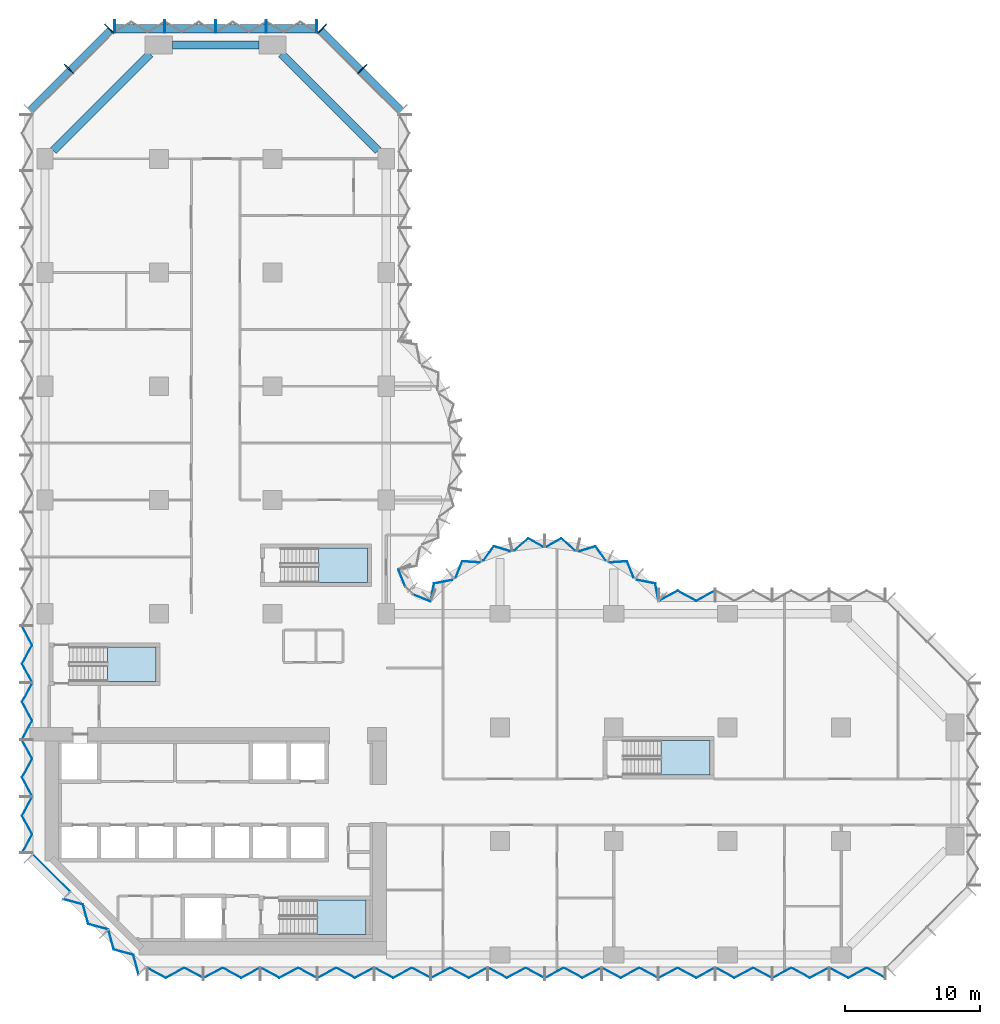
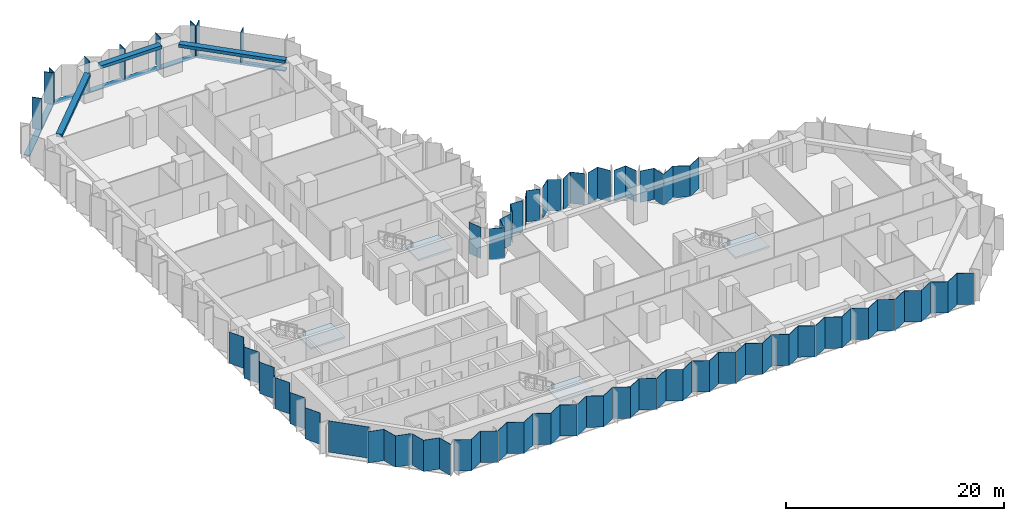
# One storey, part 5 of 15: 31 plates, 12 members, 4 slabs, 3 beams, 13 elements without a shape of their own.
"""IFC4 building model written with IfcOpenShell, lengths in metres."""

from ifc_helpers import new_model, si_unit, direction, frame, origin, origin_2d, place, context, subcontext, project, spatial, polyline, rectangle, outline, extrude, material, layer, layer_set, material_profile, profile_set, type_object, element, aggregate, save


model = new_model("IFC4")

# Units and contexts
model_context = context("Model", 3, precision=1e-05, world=origin(), true_north=direction((0.0, 1.0)))
body_context = subcontext(model_context, "Body", "Model", "MODEL_VIEW")
ifc_project = project(units=[si_unit("LENGTHUNIT", "METRE"), si_unit("AREAUNIT", "SQUARE_METRE"), si_unit("VOLUMEUNIT", "CUBIC_METRE"), si_unit("PLANEANGLEUNIT", "RADIAN"), si_unit("MASSUNIT", "GRAM", prefix="KILO")], contexts=[model_context])

# Site, building, storey
site_placement = place(None, origin())
site = spatial("IfcSite", under=ifc_project, at=site_placement, CompositionType="ELEMENT")
building_placement = place(site_placement, origin())
building = spatial("IfcBuilding", under=site, at=building_placement, Name="Brevane Broadcast Tower", CompositionType="ELEMENT")
storey_placement = place(building_placement, frame((0.0, 0.0, 54.5)))
storey = spatial("IfcBuildingStorey", under=building, at=storey_placement, Name="L11", CompositionType="ELEMENT", Elevation=54.5)

# Curtain wall, members
ifc_material_1 = material(Name="Aluminium 6063-T6 bronze anodised", Category="aluminium")
curtain_wall_type = type_object("IfcCurtainWallType", Name="CW-1 curtain wall", PredefinedType="NOTDEFINED", material=ifc_material_1)
curtain_wall_1_placement = place(storey_placement, origin())
curtain_wall_1 = element("IfcCurtainWall", 1, at=curtain_wall_1_placement, inside=storey, type_object=curtain_wall_type, Name="CW-1 typical tilted unit L11 north arm north-east chamfer", PredefinedType="NOTDEFINED")
ifc_material_profile_1 = material_profile(ifc_material_1, rectangle(XDim=0.949951171875, YDim=0.070068359375, at=origin_2d()), Name="RECT 70x950")
ifc_profile_set_1 = profile_set([ifc_material_profile_1], Name="Aluminium 6063-T6 bronze anodised")
member_type_1 = type_object("IfcMemberType", Name="CW-1 mullion 70x950", PredefinedType="MULLION", material=ifc_profile_set_1)
member_1_placement = place(storey_placement, frame((23.435791015625, 65.435791015625, -0.14990234375), z_axis=(0.0, 0.0, 1.0), x_axis=(-0.707106781187, -0.707106781187, 0.0)))
member_1 = element("IfcMember", 2, at=member_1_placement, type_object=member_type_1, Name="CW-1 mullion", PredefinedType="MULLION", context=body_context, shape_type="SweptSolid", body=[
    extrude(rectangle(XDim=0.949951171875, YDim=0.070068359375, at=origin_2d()), origin(), (0.0, 0.0, 1.0), 3.5),
])
member_2_placement = place(storey_placement, frame((20.460693359375, 68.4111328125, -0.14990234375), z_axis=(0.0, 0.0, 1.0), x_axis=(-0.707106781187, -0.707106781187, 0.0)))
member_2 = element("IfcMember", 3, at=member_2_placement, type_object=member_type_1, Name="CW-1 mullion", PredefinedType="MULLION", context=body_context, shape_type="SweptSolid", body=[
    extrude(rectangle(XDim=0.949951171875, YDim=0.070068359375, at=origin_2d()), origin(), (0.0, 0.0, 1.0), 3.5),
])

curtain_wall_2_placement = place(storey_placement, origin())
curtain_wall_2 = element("IfcCurtainWall", 4, at=curtain_wall_2_placement, inside=storey, type_object=curtain_wall_type, Name="CW-1 typical tilted unit L11 north end", PredefinedType="NOTDEFINED")
member_3_placement = place(storey_placement, frame((20.06494140625, 68.574951171875, -0.14990234375), z_axis=(0.0, 0.0, 1.0), x_axis=(0.0, -1.0, 0.0)))
member_3 = element("IfcMember", 5, at=member_3_placement, type_object=member_type_1, Name="CW-1 mullion", PredefinedType="MULLION", context=body_context, shape_type="SweptSolid", body=[
    extrude(rectangle(XDim=0.949951171875, YDim=0.070068359375, at=origin_2d()), origin(), (0.0, 0.0, 1.0), 3.5),
])
member_4_placement = place(storey_placement, frame((16.35009765625, 68.574951171875, -0.14990234375), z_axis=(0.0, 0.0, 1.0), x_axis=(0.0, -1.0, 0.0)))
member_4 = element("IfcMember", 6, at=member_4_placement, type_object=member_type_1, Name="CW-1 mullion", PredefinedType="MULLION", context=body_context, shape_type="SweptSolid", body=[
    extrude(rectangle(XDim=0.949951171875, YDim=0.070068359375, at=origin_2d()), origin(), (0.0, 0.0, 1.0), 3.5),
])
member_5_placement = place(storey_placement, frame((12.60009765625, 68.574951171875, -0.14990234375), z_axis=(0.0, 0.0, 1.0), x_axis=(0.0, -1.0, 0.0)))
member_5 = element("IfcMember", 7, at=member_5_placement, type_object=member_type_1, Name="CW-1 mullion", PredefinedType="MULLION", context=body_context, shape_type="SweptSolid", body=[
    extrude(rectangle(XDim=0.949951171875, YDim=0.070068359375, at=origin_2d()), origin(), (0.0, 0.0, 1.0), 3.5),
])
member_6_placement = place(storey_placement, frame((8.85009765625, 68.574951171875, -0.14990234375), z_axis=(0.0, 0.0, 1.0), x_axis=(0.0, -1.0, 0.0)))
member_6 = element("IfcMember", 8, at=member_6_placement, type_object=member_type_1, Name="CW-1 mullion", PredefinedType="MULLION", context=body_context, shape_type="SweptSolid", body=[
    extrude(rectangle(XDim=0.949951171875, YDim=0.070068359375, at=origin_2d()), origin(), (0.0, 0.0, 1.0), 3.5),
])
member_7_placement = place(storey_placement, frame((5.135009765625, 68.574951171875, -0.14990234375), z_axis=(0.0, 0.0, 1.0), x_axis=(0.0, -1.0, 0.0)))
member_7 = element("IfcMember", 9, at=member_7_placement, type_object=member_type_1, Name="CW-1 mullion", PredefinedType="MULLION", context=body_context, shape_type="SweptSolid", body=[
    extrude(rectangle(XDim=0.949951171875, YDim=0.070068359375, at=origin_2d()), origin(), (0.0, 0.0, 1.0), 3.5),
])

curtain_wall_3_placement = place(storey_placement, origin())
curtain_wall_3 = element("IfcCurtainWall", 10, at=curtain_wall_3_placement, inside=storey, type_object=curtain_wall_type, Name="CW-1 typical tilted unit L11 north-west chamfer", PredefinedType="NOTDEFINED")
member_8_placement = place(storey_placement, frame((4.7392578125, 68.4111328125, -0.14990234375), z_axis=(0.0, 0.0, 1.0), x_axis=(0.707106781187, -0.707106781187, 0.0)))
member_8 = element("IfcMember", 11, at=member_8_placement, type_object=member_type_1, Name="CW-1 mullion", PredefinedType="MULLION", context=body_context, shape_type="SweptSolid", body=[
    extrude(rectangle(XDim=0.949951171875, YDim=0.070068359375, at=origin_2d()), origin(), (0.0, 0.0, 1.0), 3.5),
])
member_9_placement = place(storey_placement, frame((1.76416015625, 65.435791015625, -0.14990234375), z_axis=(0.0, 0.0, 1.0), x_axis=(0.707106781187, -0.707106781187, 0.0)))
member_9 = element("IfcMember", 12, at=member_9_placement, type_object=member_type_1, Name="CW-1 mullion", PredefinedType="MULLION", context=body_context, shape_type="SweptSolid", body=[
    extrude(rectangle(XDim=0.949951171875, YDim=0.070068359375, at=origin_2d()), origin(), (0.0, 0.0, 1.0), 3.5),
])

# Member
ifc_material_profile_2 = material_profile(ifc_material_1, rectangle(XDim=0.60009765625, YDim=0.10009765625, at=origin_2d()), Name="RECT 100x600")
ifc_profile_set_2 = profile_set([ifc_material_profile_2], Name="Aluminium 6063-T6 bronze anodised")
member_type_2 = type_object("IfcMemberType", Name="CW-1 transom 100x600", PredefinedType="USERDEFINED", material=ifc_profile_set_2)
member_10_placement = place(storey_placement, frame((26.31201171875, 62.31201171875, -0.199951171875), z_axis=(-0.707106781187, 0.707106781187, 0.0), x_axis=(-0.707106781187, -0.707106781187, 0.0)))
member_10 = element("IfcMember", 13, at=member_10_placement, type_object=member_type_2, Name="CW-1 transom", ObjectType="TRANSOM", PredefinedType="USERDEFINED", context=body_context, shape_type="SweptSolid", body=[
    extrude(rectangle(XDim=0.60009765625, YDim=0.10009765625, at=origin_2d()), origin(), (0.0, 0.0, 1.0), 8.4853515625),
])

aggregate(curtain_wall_1, [member_1, member_2, member_10])

member_11_placement = place(storey_placement, frame((20.10009765625, 68.39990234375, -0.199951171875), z_axis=(-1.0, 0.0, 0.0), x_axis=(0.0, -1.0, 0.0)))
member_11 = element("IfcMember", 14, at=member_11_placement, type_object=member_type_2, Name="CW-1 transom", ObjectType="TRANSOM", PredefinedType="USERDEFINED", context=body_context, shape_type="SweptSolid", body=[
    extrude(rectangle(XDim=0.60009765625, YDim=0.10009765625, at=origin_2d()), origin(), (0.0, 0.0, 1.0), 15.0),
])

aggregate(curtain_wall_2, [member_3, member_4, member_5, member_6, member_7, member_11])

member_12_placement = place(storey_placement, frame((4.887939453125, 68.31201171875, -0.199951171875), z_axis=(-0.707106781187, -0.707106781187, 0.0), x_axis=(0.707106781187, -0.707106781187, 0.0)))
member_12 = element("IfcMember", 15, at=member_12_placement, type_object=member_type_2, Name="CW-1 transom", ObjectType="TRANSOM", PredefinedType="USERDEFINED", context=body_context, shape_type="SweptSolid", body=[
    extrude(rectangle(XDim=0.60009765625, YDim=0.10009765625, at=origin_2d()), origin(), (0.0, 0.0, 1.0), 8.4853515625),
])

aggregate(curtain_wall_3, [member_8, member_9, member_12])

# Beams
ifc_material_2 = material(Name="Concrete C40/50", Category="concrete")
ifc_material_profile_3 = material_profile(ifc_material_2, rectangle(XDim=0.60009765625, YDim=0.35009765625, at=origin_2d()), Name="RC 600x350")
ifc_profile_set_3 = profile_set([ifc_material_profile_3], Name="Concrete C40/50")
beam_type = type_object("IfcBeamType", Name="RC SPANDREL BEAM 600x350 C40/50", PredefinedType="SPANDREL", material=ifc_profile_set_3)
beam_1_placement = place(storey_placement, frame((24.60009765625, 59.39990234375, 3.175048828125), z_axis=(-0.707106781187, 0.707106781187, 0.0), x_axis=(-0.707106781187, -0.707106781187, 0.0)))
element("IfcBeam", 16, at=beam_1_placement, inside=storey, type_object=beam_type, Name="EB1 L11-16", PredefinedType="SPANDREL", context=body_context, shape_type="SweptSolid", body=[
    extrude(rectangle(XDim=0.60009765625, YDim=0.35009765625, at=origin_2d()), origin(), (0.0, 0.0, 1.0), 10.11181640625),
])
beam_2_placement = place(storey_placement, frame((15.800048828125, 67.199951171875, 3.175048828125), z_axis=(-1.0, 0.0, 0.0), x_axis=(0.0, -1.0, 0.0)))
element("IfcBeam", 17, at=beam_2_placement, inside=storey, type_object=beam_type, Name="EB1 L11-17", PredefinedType="SPANDREL", context=body_context, shape_type="SweptSolid", body=[
    extrude(rectangle(XDim=0.60009765625, YDim=0.35009765625, at=origin_2d()), origin(), (0.0, 0.0, 1.0), 6.400146484375),
])
beam_3_placement = place(storey_placement, frame((7.75, 66.550048828125, 3.175048828125), z_axis=(-0.707094708853, -0.707118853314, 0.0), x_axis=(0.707118853314, -0.707094708853, 0.0)))
element("IfcBeam", 18, at=beam_3_placement, inside=storey, type_object=beam_type, Name="EB1 L11-18", PredefinedType="SPANDREL", context=body_context, shape_type="SweptSolid", body=[
    extrude(rectangle(XDim=0.60009765625, YDim=0.35009765625, at=origin_2d()), origin(), (0.0, 0.0, 1.0), 10.111572265625),
])

# Curtain wall, plates
curtain_wall_4_placement = place(storey_placement, origin())
curtain_wall_4 = element("IfcCurtainWall", 19, at=curtain_wall_4_placement, inside=storey, type_object=curtain_wall_type, Name="CW-1 typical tilted unit L11 south face", PredefinedType="NOTDEFINED")
ifc_material_3 = material(Name="Laminated glass bronze-tinted", Category="glass")
ifc_layer_1 = layer(ifc_material_3, 0.0400390625)
ifc_layer_set_1 = layer_set([ifc_layer_1], Name="CW tall glass panel 40")
plate_type = type_object("IfcPlateType", Name="CW tall glass panel 40", PredefinedType="CURTAIN_PANEL", material=ifc_layer_set_1)
plate_1_placement = place(storey_placement, frame((0.0, 0.0, -0.14990234375)))
plate_1 = element("IfcPlate", 20, at=plate_1_placement, type_object=plate_type, Name="CW-1 glass panel", PredefinedType="CURTAIN_PANEL", context=body_context, shape_type="SweptSolid", body=[
    extrude(outline(polyline([(7.534912109375, -0.92724609375), (7.534912109375, -0.97265625), (8.91162109375, -1.717041015625), (10.288330078125, -0.97265625), (11.6650390625, -1.717041015625), (11.6650390625, -1.671630859375), (10.288330078125, -0.92724609375), (8.91162109375, -1.671630859375), (7.534912109375, -0.92724609375)])), origin(), (0.0, 0.0, 1.0), 3.5),
])
plate_2_placement = place(storey_placement, frame((0.0, 0.0, -0.14990234375)))
plate_2 = element("IfcPlate", 21, at=plate_2_placement, type_object=plate_type, Name="CW-1 glass panel", PredefinedType="CURTAIN_PANEL", context=body_context, shape_type="SweptSolid", body=[
    extrude(outline(polyline([(11.735107421875, -1.671630859375), (11.735107421875, -1.717041015625), (13.11181640625, -0.97265625), (14.48828125, -1.717041015625), (15.864990234375, -0.97265625), (15.864990234375, -0.92724609375), (14.48828125, -1.671630859375), (13.11181640625, -0.92724609375), (11.735107421875, -1.671630859375)])), origin(), (0.0, 0.0, 1.0), 3.5),
])
plate_3_placement = place(storey_placement, frame((0.0, 0.0, -0.14990234375)))
plate_3 = element("IfcPlate", 22, at=plate_3_placement, type_object=plate_type, Name="CW-1 glass panel", PredefinedType="CURTAIN_PANEL", context=body_context, shape_type="SweptSolid", body=[
    extrude(outline(polyline([(15.93505859375, -0.92724609375), (15.93505859375, -0.97265625), (17.311767578125, -1.717041015625), (18.688232421875, -0.97265625), (20.06494140625, -1.717041015625), (20.06494140625, -1.671630859375), (18.688232421875, -0.92724609375), (17.311767578125, -1.671630859375), (15.93505859375, -0.92724609375)])), origin(), (0.0, 0.0, 1.0), 3.5),
])
plate_4_placement = place(storey_placement, frame((0.0, 0.0, -0.14990234375)))
plate_4 = element("IfcPlate", 23, at=plate_4_placement, type_object=plate_type, Name="CW-1 glass panel", PredefinedType="CURTAIN_PANEL", context=body_context, shape_type="SweptSolid", body=[
    extrude(outline(polyline([(20.135009765625, -1.671630859375), (20.135009765625, -1.717041015625), (21.51171875, -0.97265625), (22.88818359375, -1.717041015625), (24.264892578125, -0.97265625), (24.264892578125, -0.92724609375), (22.88818359375, -1.671630859375), (21.51171875, -0.92724609375), (20.135009765625, -1.671630859375)])), origin(), (0.0, 0.0, 1.0), 3.5),
])
plate_5_placement = place(storey_placement, frame((0.0, 0.0, -0.14990234375)))
plate_5 = element("IfcPlate", 24, at=plate_5_placement, type_object=plate_type, Name="CW-1 glass panel", PredefinedType="CURTAIN_PANEL", context=body_context, shape_type="SweptSolid", body=[
    extrude(outline(polyline([(24.3349609375, -0.92724609375), (24.3349609375, -0.97265625), (25.711669921875, -1.717041015625), (27.08837890625, -0.97265625), (28.465087890625, -1.717041015625), (28.465087890625, -1.671630859375), (27.08837890625, -0.92724609375), (25.711669921875, -1.671630859375), (24.3349609375, -0.92724609375)])), origin(), (0.0, 0.0, 1.0), 3.5),
])
plate_6_placement = place(storey_placement, frame((0.0, 0.0, -0.14990234375)))
plate_6 = element("IfcPlate", 25, at=plate_6_placement, type_object=plate_type, Name="CW-1 glass panel", PredefinedType="CURTAIN_PANEL", context=body_context, shape_type="SweptSolid", body=[
    extrude(outline(polyline([(28.534912109375, -1.671630859375), (28.534912109375, -1.717041015625), (29.91162109375, -0.97265625), (31.288330078125, -1.717041015625), (32.6650390625, -0.97265625), (32.6650390625, -0.92724609375), (31.288330078125, -1.671630859375), (29.91162109375, -0.92724609375), (28.534912109375, -1.671630859375)])), origin(), (0.0, 0.0, 1.0), 3.5),
])
plate_7_placement = place(storey_placement, frame((0.0, 0.0, -0.14990234375)))
plate_7 = element("IfcPlate", 26, at=plate_7_placement, type_object=plate_type, Name="CW-1 glass panel", PredefinedType="CURTAIN_PANEL", context=body_context, shape_type="SweptSolid", body=[
    extrude(outline(polyline([(32.735107421875, -0.92724609375), (32.735107421875, -0.97265625), (34.11181640625, -1.717041015625), (35.48828125, -0.97265625), (36.864990234375, -1.717041015625), (36.864990234375, -1.671630859375), (35.48828125, -0.92724609375), (34.11181640625, -1.671630859375), (32.735107421875, -0.92724609375)])), origin(), (0.0, 0.0, 1.0), 3.5),
])
plate_8_placement = place(storey_placement, frame((0.0, 0.0, -0.14990234375)))
plate_8 = element("IfcPlate", 27, at=plate_8_placement, type_object=plate_type, Name="CW-1 glass panel", PredefinedType="CURTAIN_PANEL", context=body_context, shape_type="SweptSolid", body=[
    extrude(outline(polyline([(36.93505859375, -1.671630859375), (36.93505859375, -1.717041015625), (38.311767578125, -0.97265625), (39.688232421875, -1.717041015625), (41.06494140625, -0.97265625), (41.06494140625, -0.92724609375), (39.688232421875, -1.671630859375), (38.311767578125, -0.92724609375), (36.93505859375, -1.671630859375)])), origin(), (0.0, 0.0, 1.0), 3.5),
])
plate_9_placement = place(storey_placement, frame((0.0, 0.0, -0.14990234375)))
plate_9 = element("IfcPlate", 28, at=plate_9_placement, type_object=plate_type, Name="CW-1 glass panel", PredefinedType="CURTAIN_PANEL", context=body_context, shape_type="SweptSolid", body=[
    extrude(outline(polyline([(41.135009765625, -0.92724609375), (41.135009765625, -0.97265625), (42.51171875, -1.717041015625), (43.88818359375, -0.97265625), (45.264892578125, -1.717041015625), (45.264892578125, -1.671630859375), (43.88818359375, -0.92724609375), (42.51171875, -1.671630859375), (41.135009765625, -0.92724609375)])), origin(), (0.0, 0.0, 1.0), 3.5),
])
plate_10_placement = place(storey_placement, frame((0.0, 0.0, -0.14990234375)))
plate_10 = element("IfcPlate", 29, at=plate_10_placement, type_object=plate_type, Name="CW-1 glass panel", PredefinedType="CURTAIN_PANEL", context=body_context, shape_type="SweptSolid", body=[
    extrude(outline(polyline([(45.3349609375, -1.671630859375), (45.3349609375, -1.717041015625), (46.711669921875, -0.97265625), (48.08837890625, -1.717041015625), (49.465087890625, -0.97265625), (49.465087890625, -0.92724609375), (48.08837890625, -1.671630859375), (46.711669921875, -0.92724609375), (45.3349609375, -1.671630859375)])), origin(), (0.0, 0.0, 1.0), 3.5),
])
plate_11_placement = place(storey_placement, frame((0.0, 0.0, -0.14990234375)))
plate_11 = element("IfcPlate", 30, at=plate_11_placement, type_object=plate_type, Name="CW-1 glass panel", PredefinedType="CURTAIN_PANEL", context=body_context, shape_type="SweptSolid", body=[
    extrude(outline(polyline([(49.534912109375, -0.92724609375), (49.534912109375, -0.97265625), (50.91162109375, -1.717041015625), (52.288330078125, -0.97265625), (53.6650390625, -1.717041015625), (53.6650390625, -1.671630859375), (52.288330078125, -0.92724609375), (50.91162109375, -1.671630859375), (49.534912109375, -0.92724609375)])), origin(), (0.0, 0.0, 1.0), 3.5),
])
plate_12_placement = place(storey_placement, frame((0.0, 0.0, -0.14990234375)))
plate_12 = element("IfcPlate", 31, at=plate_12_placement, type_object=plate_type, Name="CW-1 glass panel", PredefinedType="CURTAIN_PANEL", context=body_context, shape_type="SweptSolid", body=[
    extrude(outline(polyline([(53.735107421875, -1.671630859375), (53.735107421875, -1.717041015625), (55.11181640625, -0.97265625), (56.48828125, -1.717041015625), (57.864990234375, -0.97265625), (57.864990234375, -0.92724609375), (56.48828125, -1.671630859375), (55.11181640625, -0.92724609375), (53.735107421875, -1.671630859375)])), origin(), (0.0, 0.0, 1.0), 3.5),
])
plate_13_placement = place(storey_placement, frame((0.0, 0.0, -0.14990234375)))
plate_13 = element("IfcPlate", 32, at=plate_13_placement, type_object=plate_type, Name="CW-1 glass panel", PredefinedType="CURTAIN_PANEL", context=body_context, shape_type="SweptSolid", body=[
    extrude(outline(polyline([(57.93505859375, -0.92724609375), (57.93505859375, -0.97265625), (59.311767578125, -1.717041015625), (60.688232421875, -0.97265625), (62.06494140625, -1.717041015625), (62.06494140625, -1.671630859375), (60.688232421875, -0.92724609375), (59.311767578125, -1.671630859375), (57.93505859375, -0.92724609375)])), origin(), (0.0, 0.0, 1.0), 3.5),
])
aggregate(curtain_wall_4, [plate_1, plate_2, plate_3, plate_4, plate_5, plate_6, plate_7, plate_8, plate_9, plate_10, plate_11, plate_12, plate_13])

# Curtain wall, plate
curtain_wall_5_placement = place(storey_placement, origin())
curtain_wall_5 = element("IfcCurtainWall", 33, at=curtain_wall_5_placement, inside=storey, type_object=curtain_wall_type, Name="CW-1 typical tilted unit L11 east arm north face", PredefinedType="NOTDEFINED")
plate_14_placement = place(storey_placement, frame((0.0, 0.0, -0.14990234375)))
plate_14 = element("IfcPlate", 34, at=plate_14_placement, type_object=plate_type, Name="CW-1 glass panel", PredefinedType="CURTAIN_PANEL", context=body_context, shape_type="SweptSolid", body=[
    extrude(outline(polyline([(49.465087890625, 26.87158203125), (49.465087890625, 26.9169921875), (48.08837890625, 26.172607421875), (46.711669921875, 26.9169921875), (45.3349609375, 26.172607421875), (45.3349609375, 26.127197265625), (46.711669921875, 26.87158203125), (48.08837890625, 26.127197265625), (49.465087890625, 26.87158203125)])), origin(), (0.0, 0.0, 1.0), 3.5),
])
aggregate(curtain_wall_5, [plate_14])

# Curtain wall, plates
curtain_wall_6_placement = place(storey_placement, origin())
curtain_wall_6 = element("IfcCurtainWall", 35, at=curtain_wall_6_placement, inside=storey, type_object=curtain_wall_type, Name="CW-1 typical tilted unit L11 east bow", PredefinedType="NOTDEFINED")
plate_15_placement = place(storey_placement, frame((0.0, 0.0, -0.14990234375)))
plate_15 = element("IfcPlate", 36, at=plate_15_placement, type_object=plate_type, Name="CW-1 glass panel", PredefinedType="CURTAIN_PANEL", context=body_context, shape_type="SweptSolid", body=[
    extrude(outline(polyline([(45.2939453125, 26.14404296875), (45.327880859375, 26.17919921875), (45.086181640625, 27.447265625), (43.738525390625, 27.71142578125), (43.7109375, 27.67626953125), (45.052001953125, 27.4130859375), (45.2939453125, 26.14404296875)])), origin(), (0.0, 0.0, 1.0), 3.5),
])
plate_16_placement = place(storey_placement, frame((0.0, 0.0, -0.14990234375)))
plate_16 = element("IfcPlate", 37, at=plate_16_placement, type_object=plate_type, Name="CW-1 glass panel", PredefinedType="CURTAIN_PANEL", context=body_context, shape_type="SweptSolid", body=[
    extrude(outline(polyline([(43.45703125, 27.8759765625), (43.4853515625, 27.912109375), (43.00390625, 29.089111328125), (41.710693359375, 29.006591796875), (41.69091796875, 28.96533203125), (42.977783203125, 29.04736328125), (43.45703125, 27.8759765625)])), origin(), (0.0, 0.0, 1.0), 3.5),
])
plate_17_placement = place(storey_placement, frame((0.0, 0.0, -0.14990234375)))
plate_17 = element("IfcPlate", 38, at=plate_17_placement, type_object=plate_type, Name="CW-1 glass panel", PredefinedType="CURTAIN_PANEL", context=body_context, shape_type="SweptSolid", body=[
    extrude(outline(polyline([(41.3994140625, 29.104248046875), (41.4189453125, 29.1455078125), (40.667724609375, 30.20166015625), (39.45068359375, 29.83349609375), (39.440185546875, 29.78857421875), (40.65185546875, 30.155029296875), (41.3994140625, 29.104248046875)])), origin(), (0.0, 0.0, 1.0), 3.5),
])
plate_18_placement = place(storey_placement, frame((0.0, 0.0, -0.14990234375)))
plate_18 = element("IfcPlate", 39, at=plate_18_placement, type_object=plate_type, Name="CW-1 glass panel", PredefinedType="CURTAIN_PANEL", context=body_context, shape_type="SweptSolid", body=[
    extrude(outline(polyline([(39.125, 29.859619140625), (39.13525390625, 29.903564453125), (38.116943359375, 30.779296875), (37.008056640625, 30.15869140625), (37.008056640625, 30.11279296875), (38.112060546875, 30.730712890625), (39.125, 29.859619140625)])), origin(), (0.0, 0.0, 1.0), 3.5),
])
plate_19_placement = place(storey_placement, frame((0.0, 0.0, -0.14990234375)))
plate_19 = element("IfcPlate", 40, at=plate_19_placement, type_object=plate_type, Name="CW-1 glass panel", PredefinedType="CURTAIN_PANEL", context=body_context, shape_type="SweptSolid", body=[
    extrude(outline(polyline([(36.7919921875, 30.11279296875), (36.7919921875, 30.15869140625), (35.68310546875, 30.779296875), (34.664794921875, 29.903564453125), (34.6748046875, 29.859619140625), (35.68798828125, 30.730712890625), (36.7919921875, 30.11279296875)])), origin(), (0.0, 0.0, 1.0), 3.5),
])
plate_20_placement = place(storey_placement, frame((0.0, 0.0, -0.14990234375)))
plate_20 = element("IfcPlate", 41, at=plate_20_placement, type_object=plate_type, Name="CW-1 glass panel", PredefinedType="CURTAIN_PANEL", context=body_context, shape_type="SweptSolid", body=[
    extrude(outline(polyline([(34.359619140625, 29.78857421875), (34.349365234375, 29.83349609375), (33.132080078125, 30.20166015625), (32.381103515625, 29.1455078125), (32.400634765625, 29.104248046875), (33.148193359375, 30.155029296875), (34.359619140625, 29.78857421875)])), origin(), (0.0, 0.0, 1.0), 3.5),
])
plate_21_placement = place(storey_placement, frame((0.0, 0.0, -0.14990234375)))
plate_21 = element("IfcPlate", 42, at=plate_21_placement, type_object=plate_type, Name="CW-1 glass panel", PredefinedType="CURTAIN_PANEL", context=body_context, shape_type="SweptSolid", body=[
    extrude(outline(polyline([(32.10888671875, 28.96533203125), (32.08935546875, 29.006591796875), (30.7958984375, 29.089111328125), (30.314697265625, 27.912109375), (30.343017578125, 27.8759765625), (30.822265625, 29.04736328125), (32.10888671875, 28.96533203125)])), origin(), (0.0, 0.0, 1.0), 3.5),
])
plate_22_placement = place(storey_placement, frame((0.0, 0.0, -0.14990234375)))
plate_22 = element("IfcPlate", 43, at=plate_22_placement, type_object=plate_type, Name="CW-1 glass panel", PredefinedType="CURTAIN_PANEL", context=body_context, shape_type="SweptSolid", body=[
    extrude(outline(polyline([(30.089111328125, 27.67626953125), (30.0615234375, 27.71142578125), (28.7138671875, 27.447265625), (28.471923828125, 26.17919921875), (28.506103515625, 26.14404296875), (28.748046875, 27.4130859375), (30.089111328125, 27.67626953125)])), origin(), (0.0, 0.0, 1.0), 3.5),
])
aggregate(curtain_wall_6, [plate_15, plate_16, plate_17, plate_18, plate_19, plate_20, plate_21, plate_22])

curtain_wall_7_placement = place(storey_placement, origin())
curtain_wall_7 = element("IfcCurtainWall", 44, at=curtain_wall_7_placement, inside=storey, type_object=curtain_wall_type, Name="CW-1 typical tilted unit L11 inner corner", PredefinedType="NOTDEFINED")
plate_23_placement = place(storey_placement, frame((0.0, 0.0, -0.14990234375)))
plate_23 = element("IfcPlate", 45, at=plate_23_placement, type_object=plate_type, Name="CW-1 glass panel", PredefinedType="CURTAIN_PANEL", context=body_context, shape_type="SweptSolid", body=[
    extrude(outline(polyline([(28.45166015625, 26.07470703125), (28.466796875, 26.111572265625), (27.2021484375, 26.635498046875), (27.17138671875, 26.60498046875), (28.45166015625, 26.07470703125)])), origin(), (0.0, 0.0, 1.0), 3.5),
])
plate_24_placement = place(storey_placement, frame((0.0, 0.0, -0.14990234375)))
plate_24 = element("IfcPlate", 46, at=plate_24_placement, type_object=plate_type, Name="CW-1 glass panel", PredefinedType="CURTAIN_PANEL", context=body_context, shape_type="SweptSolid", body=[
    extrude(outline(polyline([(26.60498046875, 27.17138671875), (26.635498046875, 27.2021484375), (26.111572265625, 28.466796875), (26.07470703125, 28.45166015625), (26.60498046875, 27.17138671875)])), origin(), (0.0, 0.0, 1.0), 3.5),
])
aggregate(curtain_wall_7, [plate_23, plate_24])

curtain_wall_8_placement = place(storey_placement, origin())
curtain_wall_8 = element("IfcCurtainWall", 47, at=curtain_wall_8_placement, inside=storey, type_object=curtain_wall_type, Name="CW-1 typical tilted unit L11 west face", PredefinedType="NOTDEFINED")
plate_25_placement = place(storey_placement, frame((0.0, 0.0, -0.14990234375)))
plate_25 = element("IfcPlate", 48, at=plate_25_placement, type_object=plate_type, Name="CW-1 glass panel", PredefinedType="CURTAIN_PANEL", context=body_context, shape_type="SweptSolid", body=[
    extrude(outline(polyline([(-1.671630859375, 24.264892578125), (-1.717041015625, 24.264892578125), (-0.97265625, 22.88818359375), (-1.717041015625, 21.51171875), (-0.97265625, 20.135009765625), (-0.92724609375, 20.135009765625), (-1.671630859375, 21.51171875), (-0.92724609375, 22.88818359375), (-1.671630859375, 24.264892578125)])), origin(), (0.0, 0.0, 1.0), 3.5),
])
plate_26_placement = place(storey_placement, frame((0.0, 0.0, -0.14990234375)))
plate_26 = element("IfcPlate", 49, at=plate_26_placement, type_object=plate_type, Name="CW-1 glass panel", PredefinedType="CURTAIN_PANEL", context=body_context, shape_type="SweptSolid", body=[
    extrude(outline(polyline([(-0.92724609375, 20.06494140625), (-0.97265625, 20.06494140625), (-1.717041015625, 18.688232421875), (-0.97265625, 17.311767578125), (-1.717041015625, 15.93505859375), (-1.671630859375, 15.93505859375), (-0.92724609375, 17.311767578125), (-1.671630859375, 18.688232421875), (-0.92724609375, 20.06494140625)])), origin(), (0.0, 0.0, 1.0), 3.5),
])
plate_27_placement = place(storey_placement, frame((0.0, 0.0, -0.14990234375)))
plate_27 = element("IfcPlate", 50, at=plate_27_placement, type_object=plate_type, Name="CW-1 glass panel", PredefinedType="CURTAIN_PANEL", context=body_context, shape_type="SweptSolid", body=[
    extrude(outline(polyline([(-1.671630859375, 15.864990234375), (-1.717041015625, 15.864990234375), (-0.97265625, 14.48828125), (-1.717041015625, 13.11181640625), (-0.97265625, 11.735107421875), (-0.92724609375, 11.735107421875), (-1.671630859375, 13.11181640625), (-0.92724609375, 14.48828125), (-1.671630859375, 15.864990234375)])), origin(), (0.0, 0.0, 1.0), 3.5),
])
plate_28_placement = place(storey_placement, frame((0.0, 0.0, -0.14990234375)))
plate_28 = element("IfcPlate", 51, at=plate_28_placement, type_object=plate_type, Name="CW-1 glass panel", PredefinedType="CURTAIN_PANEL", context=body_context, shape_type="SweptSolid", body=[
    extrude(outline(polyline([(-0.92724609375, 11.6650390625), (-0.97265625, 11.6650390625), (-1.717041015625, 10.288330078125), (-0.97265625, 8.91162109375), (-1.717041015625, 7.534912109375), (-1.671630859375, 7.534912109375), (-0.92724609375, 8.91162109375), (-1.671630859375, 10.288330078125), (-0.92724609375, 11.6650390625)])), origin(), (0.0, 0.0, 1.0), 3.5),
])
aggregate(curtain_wall_8, [plate_25, plate_26, plate_27, plate_28])

curtain_wall_9_placement = place(storey_placement, origin())
curtain_wall_9 = element("IfcCurtainWall", 52, at=curtain_wall_9_placement, inside=storey, type_object=curtain_wall_type, Name="CW-1 typical tilted unit L11 south-west chamfer", PredefinedType="NOTDEFINED")
plate_29_placement = place(storey_placement, frame((0.0, 0.0, -0.14990234375)))
plate_29 = element("IfcPlate", 53, at=plate_29_placement, type_object=plate_type, Name="CW-1 glass panel", PredefinedType="CURTAIN_PANEL", context=body_context, shape_type="SweptSolid", body=[
    extrude(outline(polyline([(-0.896484375, 7.4541015625), (1.85400390625, 4.70361328125), (1.82568359375, 4.67529296875), (-0.9248046875, 7.42578125), (-0.896484375, 7.4541015625)])), origin(), (0.0, 0.0, 1.0), 3.5),
])
plate_30_placement = place(storey_placement, frame((0.0, 0.0, -0.14990234375)))
plate_30 = element("IfcPlate", 54, at=plate_30_placement, type_object=plate_type, Name="CW-1 glass panel", PredefinedType="CURTAIN_PANEL", context=body_context, shape_type="SweptSolid", body=[
    extrude(outline(polyline([(1.37939453125, 4.1298828125), (1.3466796875, 4.09716796875), (2.789794921875, 3.706787109375), (3.180419921875, 2.263671875), (4.62353515625, 1.873046875), (4.65625, 1.90576171875), (3.212890625, 2.296142578125), (2.822509765625, 3.739501953125), (1.37939453125, 4.1298828125)])), origin(), (0.0, 0.0, 1.0), 3.5),
])
plate_31_placement = place(storey_placement, frame((0.0, 0.0, -0.14990234375)))
plate_31 = element("IfcPlate", 55, at=plate_31_placement, type_object=plate_type, Name="CW-1 glass panel", PredefinedType="CURTAIN_PANEL", context=body_context, shape_type="SweptSolid", body=[
    extrude(outline(polyline([(4.705810546875, 1.856201171875), (4.673095703125, 1.823486328125), (5.063720703125, 0.38037109375), (6.5068359375, -0.010009765625), (6.897216796875, -1.453369140625), (6.9296875, -1.420654296875), (6.539306640625, 0.0224609375), (5.09619140625, 0.4130859375), (4.705810546875, 1.856201171875)])), origin(), (0.0, 0.0, 1.0), 3.5),
])
aggregate(curtain_wall_9, [plate_29, plate_30, plate_31])

# Stair, slab
ifc_material_4 = material(Name="Concrete C50/60", Category="concrete")
stair_type = type_object("IfcStairType", Name="Exit stair 22 risers", PredefinedType="HALF_TURN_STAIR", material=ifc_material_4)
stair_1_placement = place(storey_placement, origin())
stair_1 = element("IfcStair", 56, at=stair_1_placement, inside=storey, type_object=stair_type, Name="L11 Exit stair ST-1", PredefinedType="HALF_TURN_STAIR")
ifc_layer_2 = layer(ifc_material_4, 0.199951171875)
ifc_layer_set_2 = layer_set([ifc_layer_2], Name="Exit stair landing")
slab_type = type_object("IfcSlabType", Name="Exit stair landing", PredefinedType="LANDING", material=ifc_layer_set_2)
slab_1_placement = place(storey_placement, frame((0.0, 0.0, 1.60009765625)))
slab_1 = element("IfcSlab", 57, at=slab_1_placement, type_object=slab_type, Name="ST-1 landing 1", PredefinedType="LANDING", context=body_context, shape_type="SweptSolid", body=[
    extrude(outline(polyline([(4.60009765625, 20.199951171875), (8.199951171875, 20.199951171875), (8.199951171875, 22.75), (4.60009765625, 22.75), (4.60009765625, 20.199951171875)])), origin(), (0.0, 0.0, 1.0), 0.199951171875),
])
aggregate(stair_1, [slab_1])

stair_2_placement = place(storey_placement, origin())
stair_2 = element("IfcStair", 58, at=stair_2_placement, inside=storey, type_object=stair_type, Name="L11 Exit stair ST-2", PredefinedType="HALF_TURN_STAIR")
slab_2_placement = place(storey_placement, frame((0.0, 0.0, 1.60009765625)))
slab_2 = element("IfcSlab", 59, at=slab_2_placement, type_object=slab_type, Name="ST-2 landing 1", PredefinedType="LANDING", context=body_context, shape_type="SweptSolid", body=[
    extrude(outline(polyline([(20.10009765625, 1.5), (23.699951171875, 1.5), (23.699951171875, 4.050048828125), (20.10009765625, 4.050048828125), (20.10009765625, 1.5)])), origin(), (0.0, 0.0, 1.0), 0.199951171875),
])
aggregate(stair_2, [slab_2])

stair_3_placement = place(storey_placement, origin())
stair_3 = element("IfcStair", 60, at=stair_3_placement, inside=storey, type_object=stair_type, Name="L11 Exit stair ST-3", PredefinedType="HALF_TURN_STAIR")
slab_3_placement = place(storey_placement, frame((0.0, 0.0, 1.60009765625)))
slab_3 = element("IfcSlab", 61, at=slab_3_placement, type_object=slab_type, Name="ST-3 landing 1", PredefinedType="LANDING", context=body_context, shape_type="SweptSolid", body=[
    extrude(outline(polyline([(20.199951171875, 27.5), (23.800048828125, 27.5), (23.800048828125, 30.050048828125), (20.199951171875, 30.050048828125), (20.199951171875, 27.5)])), origin(), (0.0, 0.0, 1.0), 0.199951171875),
])
aggregate(stair_3, [slab_3])

stair_4_placement = place(storey_placement, origin())
stair_4 = element("IfcStair", 62, at=stair_4_placement, inside=storey, type_object=stair_type, Name="L11 Exit stair ST-4", PredefinedType="HALF_TURN_STAIR")
slab_4_placement = place(storey_placement, frame((0.0, 0.0, 1.60009765625)))
slab_4 = element("IfcSlab", 63, at=slab_4_placement, type_object=slab_type, Name="ST-4 landing 1", PredefinedType="LANDING", context=body_context, shape_type="SweptSolid", body=[
    extrude(outline(polyline([(45.5, 13.300048828125), (49.10009765625, 13.300048828125), (49.10009765625, 15.85009765625), (45.5, 15.85009765625), (45.5, 13.300048828125)])), origin(), (0.0, 0.0, 1.0), 0.199951171875),
])
aggregate(stair_4, [slab_4])

save(model, "model.ifc")
